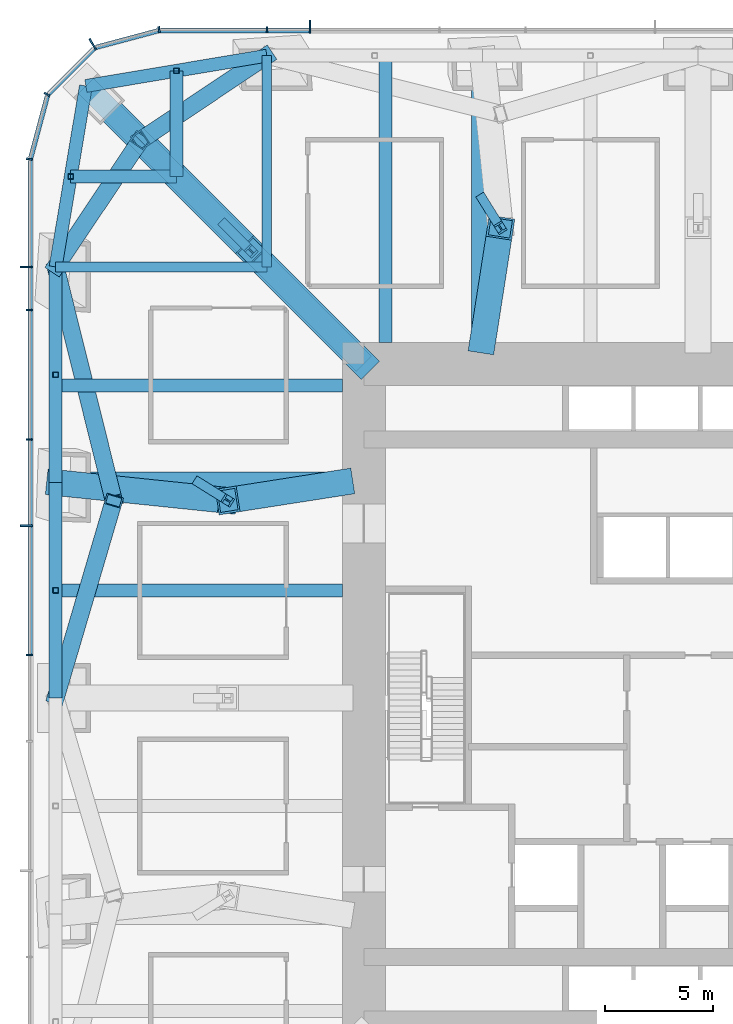
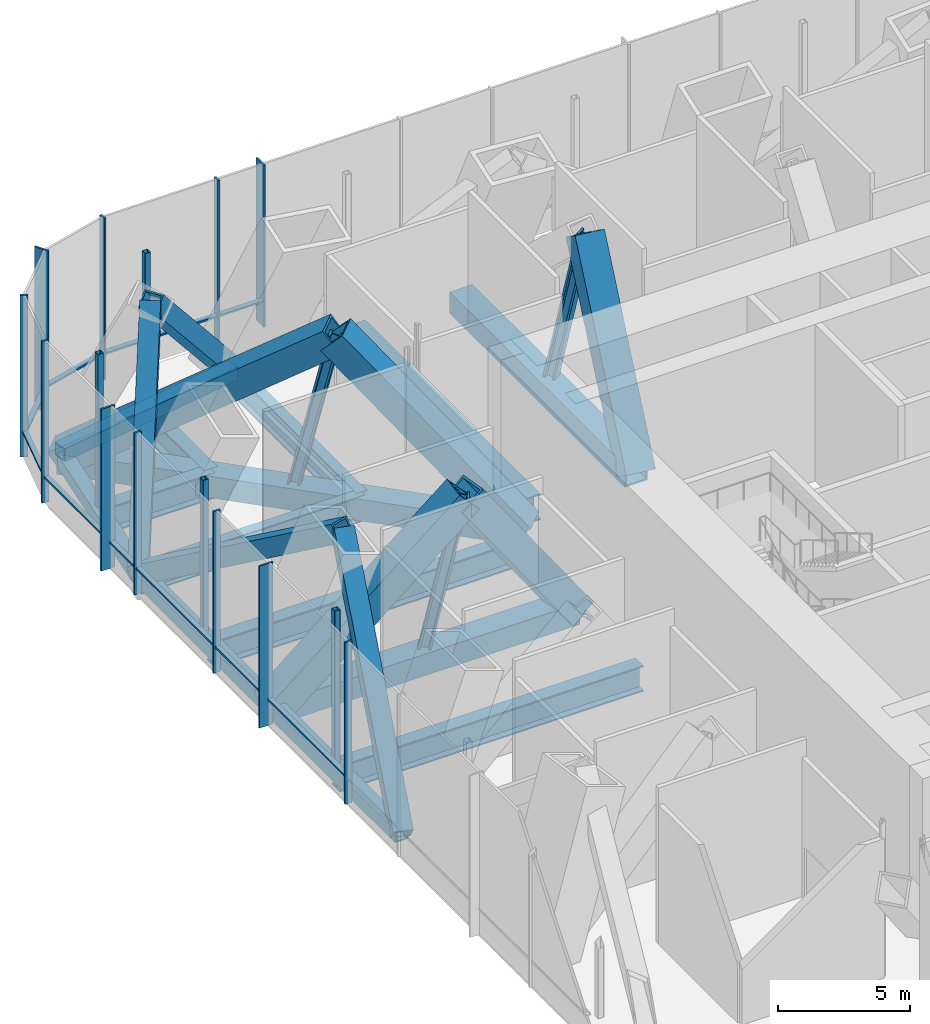
# One storey, part 6 of 20: 44 members, 7 beams, 3 elements without a shape of their own.
"""IFC4 building model written with IfcOpenShell, lengths in metres."""

from ifc_helpers import new_model, si_unit, direction, frame, origin, origin_2d, place, context, subcontext, project, spatial, rectangle, hollow_rectangle, i_section, extrude, material, material_profile, profile_set, type_object, element, aggregate, save


model = new_model("IFC4")

# Units and contexts
model_context = context("Model", 3, precision=1e-05, world=origin(), true_north=direction((0.0, 1.0)))
body_context = subcontext(model_context, "Body", "Model", "MODEL_VIEW")
ifc_project = project(units=[si_unit("LENGTHUNIT", "METRE"), si_unit("AREAUNIT", "SQUARE_METRE"), si_unit("VOLUMEUNIT", "CUBIC_METRE"), si_unit("PLANEANGLEUNIT", "RADIAN"), si_unit("MASSUNIT", "GRAM", prefix="KILO")], contexts=[model_context])

# Site, building, storey
site_placement = place(None, origin())
site = spatial("IfcSite", under=ifc_project, at=site_placement, CompositionType="ELEMENT")
building_placement = place(site_placement, origin())
building = spatial("IfcBuilding", under=site, at=building_placement, Name="Khuree Lantern Residences", CompositionType="ELEMENT")
storey_placement = place(building_placement, frame((0.0, 0.0, 99.75)))
storey = spatial("IfcBuildingStorey", under=building, at=storey_placement, Name="L25", CompositionType="ELEMENT", Elevation=99.75)

# Beams
ifc_material_1 = material(Name="Steel S355", Category="steel")
ifc_material_profile_1 = material_profile(ifc_material_1, i_section(OverallWidth=0.60009765625, OverallDepth=1.199951171875, WebThickness=0.030029296875, FlangeThickness=0.06005859375, at=origin_2d()), Name="WELDED I 1200X600X30X60")
ifc_profile_set_1 = profile_set([ifc_material_profile_1], Name="Steel S355")
beam_type_1 = type_object("IfcBeamType", Name="B-25 SECONDARY BEAM WELDED I 1200X600X30X60", PredefinedType="BEAM", material=ifc_profile_set_1)
for number, where, z_axis, x_axis, name in (
    (1, (-14.5, 29.800048828125, -0.949951171875), (0.0, -1.0, 0.0), (1.0, 0.0, 0.0), "Secondary beam N1"),
    (2, (-29.800048828125, 5.0, -0.949951171875), (1.0, 0.0, 0.0), (0.0, 1.0, 0.0), "Secondary beam W4"),
    (3, (-29.800048828125, 14.5, -0.949951171875), (1.0, 0.0, 0.0), (0.0, 1.0, 0.0), "Secondary beam W5"),
):
    element("IfcBeam", number, at=place(storey_placement, frame(where, z_axis=z_axis, x_axis=x_axis)), inside=storey, type_object=beam_type_1, Name=name, PredefinedType="BEAM", context=body_context, shape_type="SweptSolid", body=[
        extrude(i_section(OverallWidth=0.60009765625, OverallDepth=1.199951171875, WebThickness=0.030029296875, FlangeThickness=0.06005859375, at=origin_2d()), origin(), (0.0, 0.0, 1.0), 13.300048828125),
    ])
for number, where, z_axis, x_axis, name in (
    (4, (-29.09716796875, 24.197021484375, -0.949951171875), (1.0, 0.0, 0.0), (0.0, 1.0, 0.0), "Secondary beam W6"),
    (5, (-24.197021484375, 29.09716796875, -0.949951171875), (0.0, -1.0, 0.0), (1.0, 0.0, 0.0), "Secondary beam N6"),
):
    element("IfcBeam", number, at=place(storey_placement, frame(where, z_axis=z_axis, x_axis=x_axis)), inside=storey, type_object=beam_type_1, Name=name, PredefinedType="BEAM", context=body_context, shape_type="SweptSolid", body=[
        extrude(i_section(OverallWidth=0.60009765625, OverallDepth=1.199951171875, WebThickness=0.030029296875, FlangeThickness=0.06005859375, at=origin_2d()), origin(), (0.0, 0.0, 1.0), 4.900146484375),
    ])

# Members
ifc_material_profile_2 = material_profile(ifc_material_1, hollow_rectangle(XDim=0.800048828125, YDim=0.800048828125, WallThickness=0.070068359375, at=origin_2d()), Name="WELDED BOX 800X800X70")
ifc_profile_set_2 = profile_set([ifc_material_profile_2], Name="Steel S355")
member_type_1 = type_object("IfcMemberType", Name="BD-25 BELT TRUSS DIAGONAL WELDED BOX 800X800X70", PredefinedType="BRACE", material=ifc_profile_set_2)
member_1_placement = place(storey_placement, frame((-29.800048828125, 0.0, -0.64990234375), z_axis=(0.22122462626, 0.750531400006, 0.622705614509), x_axis=(-0.959199239774, 0.282731000098, 0.0)))
element("IfcMember", 6, at=member_1_placement, inside=storey, type_object=member_type_1, Name="Belt truss diagonal W4", PredefinedType="BRACE", context=body_context, shape_type="SweptSolid", body=[
    extrude(hollow_rectangle(XDim=0.800048828125, YDim=0.800048828125, WallThickness=0.070068359375, at=origin_2d()), origin(), (0.0, 0.0, 1.0), 12.20458984375),
])
member_2_placement = place(storey_placement, frame((-27.10009765625, 9.159912109375, 6.949951171875), z_axis=(-0.199829234991, 0.802298387089, -0.562481621849), x_axis=(-0.970354244709, -0.241687069936, 0.0)))
element("IfcMember", 7, at=member_2_placement, inside=storey, type_object=member_type_1, Name="Belt truss diagonal W5", PredefinedType="BRACE", context=body_context, shape_type="SweptSolid", body=[
    extrude(hollow_rectangle(XDim=0.800048828125, YDim=0.800048828125, WallThickness=0.070068359375, at=origin_2d()), origin(), (0.0, 0.0, 1.0), 13.51123046875),
])
for number, where, z_axis, x_axis, name in (
    (8, (-29.800048828125, 20.0, -0.64990234375), (0.378778977196, 0.565721390777, 0.732451905897), (-0.830942698476, 0.556358006907, 0.0), "Belt truss diagonal W6"),
    (9, (-25.869873046875, 25.869873046875, 6.949951171875), (0.565721390777, 0.378778977196, -0.732451905897), (-0.556358006907, 0.830942698476, 0.0), "Belt truss diagonal N6"),
):
    element("IfcMember", number, at=place(storey_placement, frame(where, z_axis=z_axis, x_axis=x_axis)), inside=storey, type_object=member_type_1, Name=name, PredefinedType="BRACE", context=body_context, shape_type="SweptSolid", body=[
        extrude(hollow_rectangle(XDim=0.800048828125, YDim=0.800048828125, WallThickness=0.070068359375, at=origin_2d()), origin(), (0.0, 0.0, 1.0), 10.3759765625),
    ])
ifc_material_profile_3 = material_profile(ifc_material_1, hollow_rectangle(XDim=0.60009765625, YDim=0.60009765625, WallThickness=0.050048828125, at=origin_2d()), Name="WELDED BOX 600X600X50")
ifc_profile_set_3 = profile_set([ifc_material_profile_3], Name="Steel S355")
member_type_2 = type_object("IfcMemberType", Name="BT-25 BELT TRUSS CHORD WELDED BOX 600X600X50", PredefinedType="CHORD", material=ifc_profile_set_3)
for number, where, z_axis, x_axis, name in (
    (10, (-29.800048828125, 0.0, -0.64990234375), (0.0, 1.0, 0.0), (-1.0, 0.0, 0.0), "Belt truss chord W4"),
    (11, (-29.800048828125, 10.0, -0.64990234375), (0.0, 1.0, 0.0), (-1.0, 0.0, 0.0), "Belt truss chord W5"),
):
    element("IfcMember", number, at=place(storey_placement, frame(where, z_axis=z_axis, x_axis=x_axis)), inside=storey, type_object=member_type_2, Name=name, PredefinedType="CHORD", context=body_context, shape_type="SweptSolid", body=[
        extrude(hollow_rectangle(XDim=0.60009765625, YDim=0.60009765625, WallThickness=0.050048828125, at=origin_2d()), origin(), (0.0, 0.0, 1.0), 10.0),
    ])
for number, where, z_axis, x_axis, name in (
    (12, (-29.800048828125, 20.0, -0.64990234375), (0.165199022349, 0.986260251158, 0.0), (-0.986260251158, 0.165199022349, 0.0), "Belt truss chord W6"),
    (13, (-28.39404296875, 28.39404296875, -0.64990234375), (0.986260251158, 0.165199022349, 0.0), (-0.165199022349, 0.986260251158, 0.0), "Belt truss chord N6"),
):
    element("IfcMember", number, at=place(storey_placement, frame(where, z_axis=z_axis, x_axis=x_axis)), inside=storey, type_object=member_type_2, Name=name, PredefinedType="CHORD", context=body_context, shape_type="SweptSolid", body=[
        extrude(hollow_rectangle(XDim=0.60009765625, YDim=0.60009765625, WallThickness=0.050048828125, at=origin_2d()), origin(), (0.0, 0.0, 1.0), 8.510986328125),
    ])

# Curtain wall, member
ifc_material_2 = material(Name="Bronze anodised aluminium", Category="aluminium")
curtain_wall_type = type_object("IfcCurtainWallType", Name="CW-G PLANT STOREY LOUVRED CURTAIN WALL", PredefinedType="USERDEFINED", material=ifc_material_2)
curtain_wall_1_placement = place(storey_placement, origin())
curtain_wall_1 = element("IfcCurtainWall", 14, at=curtain_wall_1_placement, inside=storey, type_object=curtain_wall_type, Name="L25 NORTH FACE CURTAIN WALL", ObjectType="Louvred curtain wall", PredefinedType="USERDEFINED")
ifc_material_profile_4 = material_profile(ifc_material_2, rectangle(XDim=0.080078125, YDim=0.60009765625, at=origin_2d()), Name="F2 80X600")
ifc_profile_set_4 = profile_set([ifc_material_profile_4], Name="Bronze anodised aluminium")
member_type_3 = type_object("IfcMemberType", Name="F2 BRONZE FIN MULLION PLANT 80X600", PredefinedType="MULLION", material=ifc_profile_set_4)
member_3_placement = place(storey_placement, frame((-18.0, 31.14990234375, 0.0), z_axis=(0.0, 0.0, 1.0), x_axis=(-1.0, 0.0, 0.0)))
member_3 = element("IfcMember", 15, at=member_3_placement, type_object=member_type_3, Name="L25 NORTH FACE FIN MULLION 27", PredefinedType="MULLION", context=body_context, shape_type="SweptSolid", body=[
    extrude(rectangle(XDim=0.080078125, YDim=0.60009765625, at=origin_2d()), origin(), (0.0, 0.0, 1.0), 7.5),
])

curtain_wall_2_placement = place(storey_placement, origin())
curtain_wall_2 = element("IfcCurtainWall", 16, at=curtain_wall_2_placement, inside=storey, type_object=curtain_wall_type, Name="L25 NORTH-WEST CORNER CURTAIN WALL", ObjectType="Louvred curtain wall", PredefinedType="USERDEFINED")
member_4_placement = place(storey_placement, frame((-28.074951171875, 30.326171875, 0.0), z_axis=(0.0, 0.0, 1.0), x_axis=(-0.86602537092, -0.500000056923, 0.0)))
member_4 = element("IfcMember", 17, at=member_4_placement, type_object=member_type_3, Name="L25 NORTH-WEST CORNER FIN MULLION 30", PredefinedType="MULLION", context=body_context, shape_type="SweptSolid", body=[
    extrude(rectangle(XDim=0.080078125, YDim=0.60009765625, at=origin_2d()), origin(), (0.0, 0.0, 1.0), 7.5),
])

# Curtain wall, members
curtain_wall_3_placement = place(storey_placement, origin())
curtain_wall_3 = element("IfcCurtainWall", 18, at=curtain_wall_3_placement, inside=storey, type_object=curtain_wall_type, Name="L25 WEST FACE CURTAIN WALL", ObjectType="Louvred curtain wall", PredefinedType="USERDEFINED")
member_5_placement = place(storey_placement, frame((-31.14990234375, 20.0, 0.0), z_axis=(0.0, 0.0, 1.0), x_axis=(0.0, -1.0, 0.0)))
member_5 = element("IfcMember", 19, at=member_5_placement, type_object=member_type_3, Name="L25 WEST FACE FIN MULLION 33", PredefinedType="MULLION", context=body_context, shape_type="SweptSolid", body=[
    extrude(rectangle(XDim=0.080078125, YDim=0.60009765625, at=origin_2d()), origin(), (0.0, 0.0, 1.0), 7.5),
])
member_6_placement = place(storey_placement, frame((-31.14990234375, 8.0, 0.0), z_axis=(0.0, 0.0, 1.0), x_axis=(0.0, -1.0, 0.0)))
member_6 = element("IfcMember", 20, at=member_6_placement, type_object=member_type_3, Name="L25 WEST FACE FIN MULLION 36", PredefinedType="MULLION", context=body_context, shape_type="SweptSolid", body=[
    extrude(rectangle(XDim=0.080078125, YDim=0.60009765625, at=origin_2d()), origin(), (0.0, 0.0, 1.0), 7.5),
])

# Beams
ifc_material_profile_5 = material_profile(ifc_material_1, i_section(OverallWidth=0.449951171875, OverallDepth=1.199951171875, WebThickness=0.02490234375, FlangeThickness=0.044921875, at=origin_2d()), Name="WELDED I 1200X450X25X45")
ifc_profile_set_5 = profile_set([ifc_material_profile_5], Name="Steel S355")
beam_type_2 = type_object("IfcBeamType", Name="G-25 GIRDER WELDED I 1200X450X25X45", PredefinedType="BEAM", material=ifc_profile_set_5)
for number, where, z_axis, x_axis, name in (
    (21, (-20.0, 29.800048828125, -0.949951171875), (0.0, -1.0, 0.0), (1.0, 0.0, 0.0), "Girder N1"),
    (22, (-29.800048828125, 20.0, -0.949951171875), (1.0, 0.0, 0.0), (0.0, 1.0, 0.0), "Girder W5"),
):
    element("IfcBeam", number, at=place(storey_placement, frame(where, z_axis=z_axis, x_axis=x_axis)), inside=storey, type_object=beam_type_2, Name=name, PredefinedType="BEAM", context=body_context, shape_type="SweptSolid", body=[
        extrude(i_section(OverallWidth=0.449951171875, OverallDepth=1.199951171875, WebThickness=0.02490234375, FlangeThickness=0.044921875, at=origin_2d()), origin(), (0.0, 0.0, 1.0), 9.800048828125),
    ])

# Member
ifc_material_profile_6 = material_profile(ifc_material_2, rectangle(XDim=0.080078125, YDim=0.300048828125, at=origin_2d()), Name="M2 80X300")
ifc_profile_set_6 = profile_set([ifc_material_profile_6], Name="Bronze anodised aluminium")
member_type_4 = type_object("IfcMemberType", Name="MULLION M2 PLANT 80X300", PredefinedType="MULLION", material=ifc_profile_set_6)
member_7_placement = place(storey_placement, frame((-20.0, 31.0, 0.0), z_axis=(0.0, 0.0, 1.0), x_axis=(-1.0, 0.0, 0.0)))
member_7 = element("IfcMember", 23, at=member_7_placement, type_object=member_type_4, Name="L25 NORTH FACE MULLION 28", PredefinedType="MULLION", context=body_context, shape_type="SweptSolid", body=[
    extrude(rectangle(XDim=0.080078125, YDim=0.300048828125, at=origin_2d()), origin(), (0.0, 0.0, 1.0), 7.5),
])

member_8_placement = place(storey_placement, frame((-25.000244140625, 31.00146484375, 0.0), z_axis=(0.0, 0.0, 1.0), x_axis=(-0.991444852794, -0.130526257387, 0.0)))
member_8 = element("IfcMember", 24, at=member_8_placement, type_object=member_type_4, Name="L25 NORTH-WEST CORNER MULLION 29", PredefinedType="MULLION", context=body_context, shape_type="SweptSolid", body=[
    extrude(rectangle(XDim=0.080078125, YDim=0.300048828125, at=origin_2d()), origin(), (0.0, 0.0, 1.0), 7.5),
])

member_9_placement = place(storey_placement, frame((-30.196044921875, 28.0, 0.0), z_axis=(0.0, 0.0, 1.0), x_axis=(-0.500000056923, -0.86602537092, 0.0)))
member_9 = element("IfcMember", 25, at=member_9_placement, type_object=member_type_4, Name="L25 NORTH-WEST CORNER MULLION 31", PredefinedType="MULLION", context=body_context, shape_type="SweptSolid", body=[
    extrude(rectangle(XDim=0.080078125, YDim=0.300048828125, at=origin_2d()), origin(), (0.0, 0.0, 1.0), 7.5),
])

member_10_placement = place(storey_placement, frame((-31.00146484375, 25.000244140625, 0.0), z_axis=(0.0, 0.0, 1.0), x_axis=(-0.130526257387, -0.991444852794, 0.0)))
member_10 = element("IfcMember", 26, at=member_10_placement, type_object=member_type_4, Name="L25 WEST FACE MULLION 32", PredefinedType="MULLION", context=body_context, shape_type="SweptSolid", body=[
    extrude(rectangle(XDim=0.080078125, YDim=0.300048828125, at=origin_2d()), origin(), (0.0, 0.0, 1.0), 7.5),
])

member_11_placement = place(storey_placement, frame((-31.0, 18.0, 0.0), z_axis=(0.0, 0.0, 1.0), x_axis=(0.0, -1.0, 0.0)))
member_11 = element("IfcMember", 27, at=member_11_placement, type_object=member_type_4, Name="L25 WEST FACE MULLION 34", PredefinedType="MULLION", context=body_context, shape_type="SweptSolid", body=[
    extrude(rectangle(XDim=0.080078125, YDim=0.300048828125, at=origin_2d()), origin(), (0.0, 0.0, 1.0), 7.5),
])

member_12_placement = place(storey_placement, frame((-31.0, 12.0, 0.0), z_axis=(0.0, 0.0, 1.0), x_axis=(0.0, -1.0, 0.0)))
member_12 = element("IfcMember", 28, at=member_12_placement, type_object=member_type_4, Name="L25 WEST FACE MULLION 35", PredefinedType="MULLION", context=body_context, shape_type="SweptSolid", body=[
    extrude(rectangle(XDim=0.080078125, YDim=0.300048828125, at=origin_2d()), origin(), (0.0, 0.0, 1.0), 7.5),
])

member_13_placement = place(storey_placement, frame((-31.0, 2.0, 0.0), z_axis=(0.0, 0.0, 1.0), x_axis=(0.0, -1.0, 0.0)))
member_13 = element("IfcMember", 29, at=member_13_placement, type_object=member_type_4, Name="L25 WEST FACE MULLION 37", PredefinedType="MULLION", context=body_context, shape_type="SweptSolid", body=[
    extrude(rectangle(XDim=0.080078125, YDim=0.300048828125, at=origin_2d()), origin(), (0.0, 0.0, 1.0), 7.5),
])

# Members
ifc_material_profile_7 = material_profile(ifc_material_1, hollow_rectangle(XDim=1.199951171875, YDim=1.199951171875, WallThickness=0.10009765625, at=origin_2d()), Name="WELDED BOX 1200X1200X100")
ifc_profile_set_7 = profile_set([ifc_material_profile_7], Name="Steel S355")
member_type_5 = type_object("IfcMemberType", Name="OD-25 OUTRIGGER TRUSS DIAGONAL WELDED BOX 1200X1200X100", PredefinedType="BRACE", material=ifc_profile_set_7)
member_14_placement = place(storey_placement, frame((-15.5, 15.5, -0.85009765625), z_axis=(-0.493384393835, 0.493384393835, 0.716340477594), x_axis=(-0.707106781187, -0.707106781187, 0.0)))
element("IfcMember", 30, at=member_14_placement, inside=storey, type_object=member_type_5, Name="Outrigger diagonal NW core side", PredefinedType="BRACE", context=body_context, shape_type="SweptSolid", body=[
    extrude(hollow_rectangle(XDim=1.199951171875, YDim=1.199951171875, WallThickness=0.10009765625, at=origin_2d()), origin(), (0.0, 0.0, 1.0), 10.609619140625),
])
member_15_placement = place(storey_placement, frame((-20.734619140625, 20.734619140625, 6.75), z_axis=(-0.578840874026, 0.578840874026, -0.57435745413), x_axis=(-0.707106781187, -0.707106781187, 0.0)))
element("IfcMember", 31, at=member_15_placement, inside=storey, type_object=member_type_5, Name="Outrigger diagonal NW column side", PredefinedType="BRACE", context=body_context, shape_type="SweptSolid", body=[
    extrude(hollow_rectangle(XDim=1.199951171875, YDim=1.199951171875, WallThickness=0.10009765625, at=origin_2d()), origin(), (0.0, 0.0, 1.0), 13.232421875),
])
for number, where, z_axis, x_axis, name in (
    (32, (-10.0, 16.5, -0.85009765625), (0.089001957603, 0.571028170987, 0.81609158768), (-0.988070340998, 0.154003250743, 0.0), "Outrigger diagonal N2 core side"),
    (33, (-16.5, 10.0, -0.85009765625), (-0.571028170987, -0.089001957603, 0.81609158768), (0.154003250743, -0.988070340998, 0.0), "Outrigger diagonal W4 core side"),
):
    element("IfcMember", number, at=place(storey_placement, frame(where, z_axis=z_axis, x_axis=x_axis)), inside=storey, type_object=member_type_5, Name=name, PredefinedType="BRACE", context=body_context, shape_type="SweptSolid", body=[
        extrude(hollow_rectangle(XDim=1.199951171875, YDim=1.199951171875, WallThickness=0.10009765625, at=origin_2d()), origin(), (0.0, 0.0, 1.0), 9.312744140625),
    ])
member_16_placement = place(storey_placement, frame((-21.81787109375, 9.171142578125, 6.75), z_axis=(-0.722188208122, 0.074990945606, -0.687619480619), x_axis=(-0.103283178244, -0.994651991951, 0.0)))
element("IfcMember", 34, at=member_16_placement, inside=storey, type_object=member_type_5, Name="Outrigger diagonal W4 column side", PredefinedType="BRACE", context=body_context, shape_type="SweptSolid", body=[
    extrude(hollow_rectangle(XDim=1.199951171875, YDim=1.199951171875, WallThickness=0.10009765625, at=origin_2d()), origin(), (0.0, 0.0, 1.0), 11.052734375),
])
ifc_material_profile_8 = material_profile(ifc_material_1, i_section(OverallWidth=0.431884765625, OverallDepth=0.498046875, WebThickness=0.0556640625, FlangeThickness=0.0888671875, FilletRadius=0.014892578125, at=origin_2d()), Name="HD 400X744")
ifc_profile_set_8 = profile_set([ifc_material_profile_8], Name="Steel S355")
member_type_6 = type_object("IfcMemberType", Name="OP-25 OUTRIGGER TRUSS POST HD 400X744", PredefinedType="POST", material=ifc_profile_set_8)
member_17_placement = place(storey_placement, frame((-21.947021484375, 21.947021484375, -0.85009765625), z_axis=(0.155613649455, -0.155613649455, 0.975483871833), x_axis=(0.707106781187, 0.707106781187, 0.0)))
element("IfcMember", 35, at=member_17_placement, inside=storey, type_object=member_type_6, Name="Outrigger post NW", PredefinedType="POST", context=body_context, shape_type="SweptSolid", body=[
    extrude(i_section(OverallWidth=0.431884765625, OverallDepth=0.498046875, WebThickness=0.0556640625, FlangeThickness=0.0888671875, FilletRadius=0.014892578125, at=origin_2d()), origin(), (0.0, 0.0, 1.0), 7.791015625),
])
for number, where, z_axis, x_axis, name in (
    (36, (-10.0, 23.14990234375, -0.85009765625), (0.106806915278, -0.171646105966, 0.979351773958), (0.849045745314, 0.528319337489, 0.0), "Outrigger post N2"),
    (37, (-23.14990234375, 10.0, -0.85009765625), (0.171646105966, -0.106806915278, 0.979351773958), (0.528319337489, 0.849045745314, 0.0), "Outrigger post W4"),
):
    element("IfcMember", number, at=place(storey_placement, frame(where, z_axis=z_axis, x_axis=x_axis)), inside=storey, type_object=member_type_6, Name=name, PredefinedType="POST", context=body_context, shape_type="SweptSolid", body=[
        extrude(i_section(OverallWidth=0.431884765625, OverallDepth=0.498046875, WebThickness=0.0556640625, FlangeThickness=0.0888671875, FilletRadius=0.014892578125, at=origin_2d()), origin(), (0.0, 0.0, 1.0), 7.76025390625),
    ])
ifc_material_profile_9 = material_profile(ifc_material_1, hollow_rectangle(XDim=1.0, YDim=1.0, WallThickness=0.080078125, at=origin_2d()), Name="WELDED BOX 1000X1000X80")
ifc_profile_set_9 = profile_set([ifc_material_profile_9], Name="Steel S355")
member_type_7 = type_object("IfcMemberType", Name="OT-25 OUTRIGGER TRUSS CHORD WELDED BOX 1000X1000X80", PredefinedType="CHORD", material=ifc_profile_set_9)
for number, where, z_axis, x_axis, name in (
    (38, (-10.0, 29.800048828125, -0.85009765625), (0.0, -1.0, 0.0), (1.0, 0.0, 0.0), "Outrigger chord N2"),
    (39, (-29.800048828125, 10.0, -0.85009765625), (1.0, 0.0, 0.0), (0.0, 1.0, 0.0), "Outrigger chord W4"),
):
    element("IfcMember", number, at=place(storey_placement, frame(where, z_axis=z_axis, x_axis=x_axis)), inside=storey, type_object=member_type_7, Name=name, PredefinedType="CHORD", context=body_context, shape_type="SweptSolid", body=[
        extrude(hollow_rectangle(XDim=1.0, YDim=1.0, WallThickness=0.080078125, at=origin_2d()), origin(), (0.0, 0.0, 1.0), 13.300048828125),
    ])
member_18_placement = place(storey_placement, frame((-28.39404296875, 28.39404296875, -0.85009765625), z_axis=(0.707106781187, -0.707106781187, 0.0), x_axis=(0.707106781187, 0.707106781187, 0.0)))
element("IfcMember", 40, at=member_18_placement, inside=storey, type_object=member_type_7, Name="Outrigger chord NW", PredefinedType="CHORD", context=body_context, shape_type="SweptSolid", body=[
    extrude(hollow_rectangle(XDim=1.0, YDim=1.0, WallThickness=0.080078125, at=origin_2d()), origin(), (0.0, 0.0, 1.0), 18.23486328125),
])
ifc_material_profile_10 = material_profile(ifc_material_1, hollow_rectangle(XDim=0.25, YDim=0.25, WallThickness=0.012451171875, InnerFilletRadius=0.012451171875, OuterFilletRadius=0.018798828125, at=origin_2d()), Name="SHS 250X250X12.5")
ifc_profile_set_10 = profile_set([ifc_material_profile_10], Name="Steel S355")
member_type_8 = type_object("IfcMemberType", Name="TP1 TERRACE POST SHS 250X250X12.5", PredefinedType="POST", material=ifc_profile_set_10)
for number, where, z_axis, x_axis, name in (
    (41, (-29.800048828125, 5.0, -0.35009765625), (0.0, 0.0, 1.0), (1.0, 0.0, 0.0), "Terrace post W4"),
    (42, (-29.800048828125, 15.0, -0.35009765625), (0.0, 0.0, 1.0), (1.0, 0.0, 0.0), "Terrace post W5"),
    (43, (-29.09716796875, 24.197021484375, -0.35009765625), (0.0, 0.0, 1.0), (1.0, 0.0, 0.0), "Terrace post W6"),
    (44, (-24.197021484375, 29.09716796875, -0.35009765625), (0.0, 0.0, 1.0), (1.0, 0.0, 0.0), "Terrace post N6"),
):
    element("IfcMember", number, at=place(storey_placement, frame(where, z_axis=z_axis, x_axis=x_axis)), inside=storey, type_object=member_type_8, Name=name, PredefinedType="POST", context=body_context, shape_type="SweptSolid", body=[
        extrude(hollow_rectangle(XDim=0.25, YDim=0.25, WallThickness=0.012451171875, InnerFilletRadius=0.012451171875, OuterFilletRadius=0.018798828125, at=origin_2d()), origin(), (0.0, 0.0, 1.0), 7.10009765625),
    ])

# Member
ifc_material_profile_11 = material_profile(ifc_material_2, rectangle(XDim=0.219970703125, YDim=0.080078125, at=origin_2d()), Name="T2 220X80")
ifc_profile_set_11 = profile_set([ifc_material_profile_11], Name="Bronze anodised aluminium")
member_type_9 = type_object("IfcMemberType", Name="TRANSOM T2 PLANT 220X80", PredefinedType="USERDEFINED", material=ifc_profile_set_11)
member_19_placement = place(storey_placement, frame((-18.0400390625, 30.969970703125, 1.199951171875), z_axis=(-1.0, 0.0, 0.0), x_axis=(0.0, -1.0, 0.0)))
member_19 = element("IfcMember", 45, at=member_19_placement, type_object=member_type_9, Name="L25 NORTH FACE TRANSOM 27.1", ObjectType="Transom", PredefinedType="USERDEFINED", context=body_context, shape_type="SweptSolid", body=[
    extrude(rectangle(XDim=0.219970703125, YDim=0.080078125, at=origin_2d()), origin(), (0.0, 0.0, 1.0), 1.919921875),
])

member_20_placement = place(storey_placement, frame((-20.0400390625, 30.969970703125, 1.199951171875), z_axis=(-1.0, 0.0, 0.0), x_axis=(0.0, -1.0, 0.0)))
member_20 = element("IfcMember", 46, at=member_20_placement, type_object=member_type_9, Name="L25 NORTH FACE TRANSOM 28.1", ObjectType="Transom", PredefinedType="USERDEFINED", context=body_context, shape_type="SweptSolid", body=[
    extrude(rectangle(XDim=0.219970703125, YDim=0.080078125, at=origin_2d()), origin(), (0.0, 0.0, 1.0), 4.901123046875),
])

aggregate(curtain_wall_1, [member_3, member_7, member_19, member_20])

member_21_placement = place(storey_placement, frame((-25.049072265625, 30.955810546875, 1.199951171875), z_axis=(-0.965928602217, -0.258808684976, 0.0), x_axis=(0.258808684976, -0.965928602217, 0.0)))
member_21 = element("IfcMember", 47, at=member_21_placement, type_object=member_type_9, Name="L25 NORTH-WEST CORNER TRANSOM 29.1", ObjectType="Transom", PredefinedType="USERDEFINED", context=body_context, shape_type="SweptSolid", body=[
    extrude(rectangle(XDim=0.219970703125, YDim=0.080078125, at=origin_2d()), origin(), (0.0, 0.0, 1.0), 2.969482421875),
])

member_22_placement = place(storey_placement, frame((-28.033447265625, 30.1201171875, 1.199951171875), z_axis=(-0.707106781187, -0.707106781187, 0.0), x_axis=(0.707106781187, -0.707106781187, 0.0)))
member_22 = element("IfcMember", 48, at=member_22_placement, type_object=member_type_9, Name="L25 NORTH-WEST CORNER TRANSOM 30.1", ObjectType="Transom", PredefinedType="USERDEFINED", context=body_context, shape_type="SweptSolid", body=[
    extrude(rectangle(XDim=0.219970703125, YDim=0.080078125, at=origin_2d()), origin(), (0.0, 0.0, 1.0), 2.950927734375),
])

member_23_placement = place(storey_placement, frame((-30.187255859375, 27.91748046875, 1.199951171875), z_axis=(-0.258808684976, -0.965928602217, 0.0), x_axis=(0.965928602217, -0.258808684976, 0.0)))
member_23 = element("IfcMember", 49, at=member_23_placement, type_object=member_type_9, Name="L25 NORTH-WEST CORNER TRANSOM 31.1", ObjectType="Transom", PredefinedType="USERDEFINED", context=body_context, shape_type="SweptSolid", body=[
    extrude(rectangle(XDim=0.219970703125, YDim=0.080078125, at=origin_2d()), origin(), (0.0, 0.0, 1.0), 2.969482421875),
])

aggregate(curtain_wall_2, [member_8, member_4, member_9, member_21, member_22, member_23])

member_24_placement = place(storey_placement, frame((-30.969970703125, 24.941162109375, 1.199951171875), z_axis=(0.0, -1.0, 0.0), x_axis=(1.0, 0.0, 0.0)))
member_24 = element("IfcMember", 50, at=member_24_placement, type_object=member_type_9, Name="L25 WEST FACE TRANSOM 32.1", ObjectType="Transom", PredefinedType="USERDEFINED", context=body_context, shape_type="SweptSolid", body=[
    extrude(rectangle(XDim=0.219970703125, YDim=0.080078125, at=origin_2d()), origin(), (0.0, 0.0, 1.0), 4.901123046875),
])

member_25_placement = place(storey_placement, frame((-30.969970703125, 19.9599609375, 1.199951171875), z_axis=(0.0, -1.0, 0.0), x_axis=(1.0, 0.0, 0.0)))
member_25 = element("IfcMember", 51, at=member_25_placement, type_object=member_type_9, Name="L25 WEST FACE TRANSOM 33.1", ObjectType="Transom", PredefinedType="USERDEFINED", context=body_context, shape_type="SweptSolid", body=[
    extrude(rectangle(XDim=0.219970703125, YDim=0.080078125, at=origin_2d()), origin(), (0.0, 0.0, 1.0), 1.919921875),
])

member_26_placement = place(storey_placement, frame((-30.969970703125, 17.9599609375, 1.199951171875), z_axis=(0.0, -1.0, 0.0), x_axis=(1.0, 0.0, 0.0)))
member_26 = element("IfcMember", 52, at=member_26_placement, type_object=member_type_9, Name="L25 WEST FACE TRANSOM 34.1", ObjectType="Transom", PredefinedType="USERDEFINED", context=body_context, shape_type="SweptSolid", body=[
    extrude(rectangle(XDim=0.219970703125, YDim=0.080078125, at=origin_2d()), origin(), (0.0, 0.0, 1.0), 5.919921875),
])

member_27_placement = place(storey_placement, frame((-30.969970703125, 11.9599609375, 1.199951171875), z_axis=(0.0, -1.0, 0.0), x_axis=(1.0, 0.0, 0.0)))
member_27 = element("IfcMember", 53, at=member_27_placement, type_object=member_type_9, Name="L25 WEST FACE TRANSOM 35.1", ObjectType="Transom", PredefinedType="USERDEFINED", context=body_context, shape_type="SweptSolid", body=[
    extrude(rectangle(XDim=0.219970703125, YDim=0.080078125, at=origin_2d()), origin(), (0.0, 0.0, 1.0), 3.919921875),
])

member_28_placement = place(storey_placement, frame((-30.969970703125, 7.9599609375, 1.199951171875), z_axis=(0.0, -1.0, 0.0), x_axis=(1.0, 0.0, 0.0)))
member_28 = element("IfcMember", 54, at=member_28_placement, type_object=member_type_9, Name="L25 WEST FACE TRANSOM 36.1", ObjectType="Transom", PredefinedType="USERDEFINED", context=body_context, shape_type="SweptSolid", body=[
    extrude(rectangle(XDim=0.219970703125, YDim=0.080078125, at=origin_2d()), origin(), (0.0, 0.0, 1.0), 5.919921875),
])

aggregate(curtain_wall_3, [member_10, member_5, member_11, member_12, member_6, member_13, member_24, member_25, member_26, member_27, member_28])

save(model, "model.ifc")
